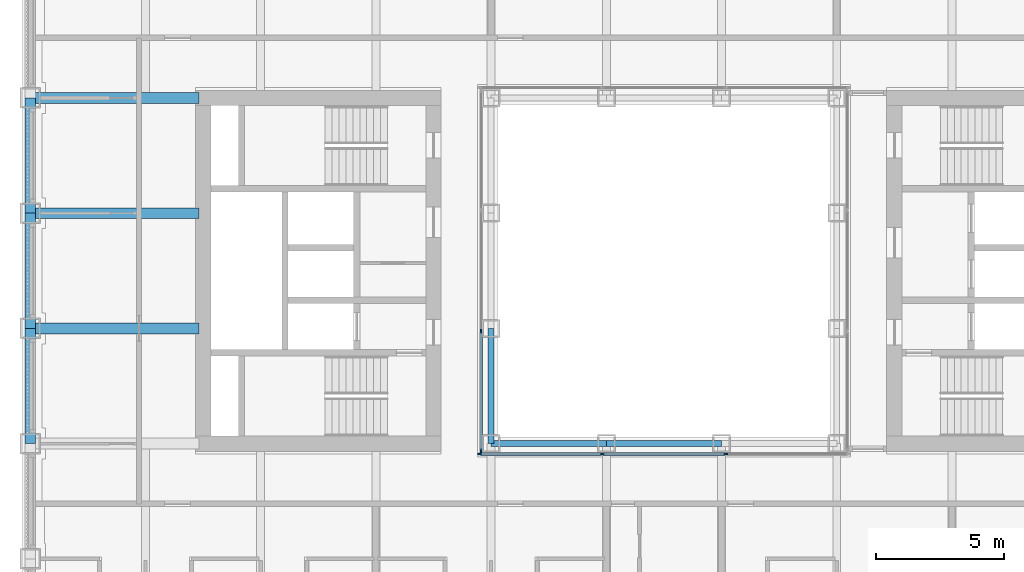
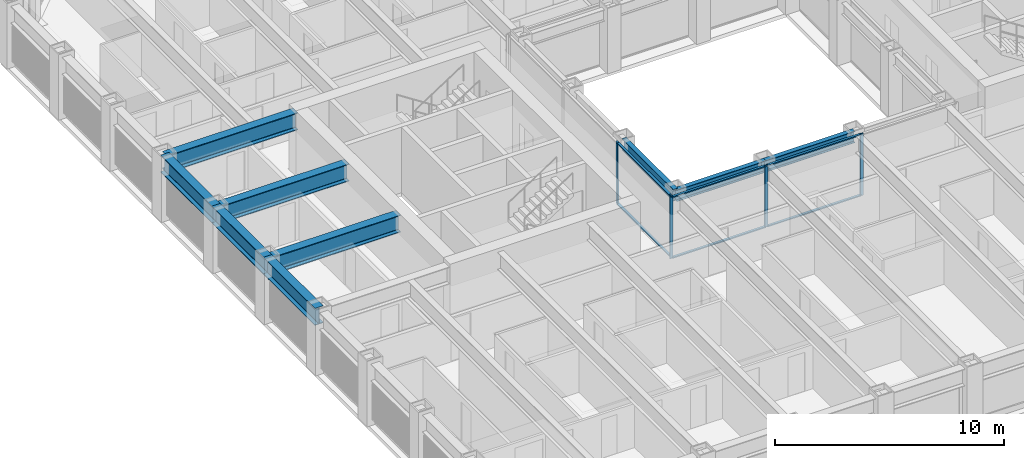
# One storey, part 3 of 21: 11 members, 9 beams, 2 elements without a shape of their own.
"""IFC4 building model written with IfcOpenShell, lengths in metres."""

from ifc_helpers import new_model, si_unit, direction, frame, origin, origin_2d, place, context, subcontext, project, spatial, rectangle, i_section, extrude, material, material_profile, profile_set, type_object, element, aggregate, save


model = new_model("IFC4")

# Units and contexts
model_context = context("Model", 3, precision=1e-05, world=origin(), true_north=direction((0.0, 1.0)))
body_context = subcontext(model_context, "Body", "Model", "MODEL_VIEW")
ifc_project = project(units=[si_unit("LENGTHUNIT", "METRE"), si_unit("AREAUNIT", "SQUARE_METRE"), si_unit("VOLUMEUNIT", "CUBIC_METRE"), si_unit("PLANEANGLEUNIT", "RADIAN"), si_unit("MASSUNIT", "GRAM", prefix="KILO")], contexts=[model_context])

# Site, building, storey
site_placement = place(None, origin())
site = spatial("IfcSite", under=ifc_project, at=site_placement, CompositionType="ELEMENT")
building_placement = place(site_placement, origin())
building = spatial("IfcBuilding", under=site, at=building_placement, Name="Msasa Ring Tower", CompositionType="ELEMENT")
storey_placement = place(building_placement, frame((0.0, 0.0, 68.5)))
storey = spatial("IfcBuildingStorey", under=building, at=storey_placement, Name="L17", CompositionType="ELEMENT", Elevation=68.5)

# Curtain wall, members
ifc_material_1 = material(Name="Aluminium curtain wall with clear glass", Category="aluminium")
curtain_wall_type = type_object("IfcCurtainWallType", Name="CW-W LIGHT WELL CURTAIN WALL", PredefinedType="NOTDEFINED", material=ifc_material_1)
curtain_wall_1_placement = place(storey_placement, origin())
curtain_wall_1 = element("IfcCurtainWall", 1, at=curtain_wall_1_placement, inside=storey, type_object=curtain_wall_type, Name="Light well curtain wall S L17", PredefinedType="NOTDEFINED")
ifc_material_2 = material(Name="Aluminium mullion", Category="aluminium")
ifc_material_profile_1 = material_profile(ifc_material_2, rectangle(XDim=0.06005859375, YDim=0.159912109375, at=origin_2d()), Name="AL 60x160")
ifc_profile_set_1 = profile_set([ifc_material_profile_1], Name="Aluminium mullion")
member_type_1 = type_object("IfcMemberType", Name="CW-W MULLION 60x160", PredefinedType="MULLION", material=ifc_profile_set_1)
member_1_placement = place(storey_placement, frame((-7.199951171875, -7.14990234375, 0.0), z_axis=(0.0, 0.0, 1.0), x_axis=(0.0, 1.0, 0.0)))
member_1 = element("IfcMember", 2, at=member_1_placement, type_object=member_type_1, Name="CW-W mullion 1", PredefinedType="MULLION", context=body_context, shape_type="SweptSolid", body=[
    extrude(rectangle(XDim=0.06005859375, YDim=0.159912109375, at=origin_2d()), origin(), (0.0, 0.0, 1.0), 3.300048828125),
])
member_2_placement = place(storey_placement, frame((-2.409912109375, -7.14990234375, 0.0), z_axis=(0.0, 0.0, 1.0), x_axis=(0.0, 1.0, 0.0)))
member_2 = element("IfcMember", 3, at=member_2_placement, type_object=member_type_1, Name="CW-W mullion 2", PredefinedType="MULLION", context=body_context, shape_type="SweptSolid", body=[
    extrude(rectangle(XDim=0.06005859375, YDim=0.159912109375, at=origin_2d()), origin(), (0.0, 0.0, 1.0), 3.300048828125),
])
member_3_placement = place(storey_placement, frame((2.409912109375, -7.14990234375, 0.0), z_axis=(0.0, 0.0, 1.0), x_axis=(0.0, 1.0, 0.0)))
member_3 = element("IfcMember", 4, at=member_3_placement, type_object=member_type_1, Name="CW-W mullion 3", PredefinedType="MULLION", context=body_context, shape_type="SweptSolid", body=[
    extrude(rectangle(XDim=0.06005859375, YDim=0.159912109375, at=origin_2d()), origin(), (0.0, 0.0, 1.0), 3.300048828125),
])

curtain_wall_2_placement = place(storey_placement, origin())
curtain_wall_2 = element("IfcCurtainWall", 5, at=curtain_wall_2_placement, inside=storey, type_object=curtain_wall_type, Name="Light well curtain wall W L17", PredefinedType="NOTDEFINED")
member_4_placement = place(storey_placement, frame((-7.14990234375, -7.0400390625, 0.0), z_axis=(0.0, 0.0, 1.0), x_axis=(-1.0, 0.0, 0.0)))
member_4 = element("IfcMember", 6, at=member_4_placement, type_object=member_type_1, Name="CW-W mullion 1", PredefinedType="MULLION", context=body_context, shape_type="SweptSolid", body=[
    extrude(rectangle(XDim=0.06005859375, YDim=0.159912109375, at=origin_2d()), origin(), (0.0, 0.0, 1.0), 3.300048828125),
])
member_5_placement = place(storey_placement, frame((-7.14990234375, -2.356689453125, 0.0), z_axis=(0.0, 0.0, 1.0), x_axis=(-1.0, 0.0, 0.0)))
member_5 = element("IfcMember", 7, at=member_5_placement, type_object=member_type_1, Name="CW-W mullion 2", PredefinedType="MULLION", context=body_context, shape_type="SweptSolid", body=[
    extrude(rectangle(XDim=0.06005859375, YDim=0.159912109375, at=origin_2d()), origin(), (0.0, 0.0, 1.0), 3.300048828125),
])

# Member
ifc_material_3 = material(Name="Aluminium transom", Category="aluminium")
ifc_material_profile_2 = material_profile(ifc_material_3, rectangle(XDim=0.1201171875, YDim=0.06005859375, at=origin_2d()), Name="AL 60x120")
ifc_profile_set_2 = profile_set([ifc_material_profile_2], Name="Aluminium transom")
member_type_2 = type_object("IfcMemberType", Name="CW-W TRANSOM 60x120", PredefinedType="USERDEFINED", material=ifc_profile_set_2)
member_6_placement = place(storey_placement, frame((-7.169921875, -7.14990234375, 0.030029296875), z_axis=(1.0, 0.0, 0.0), x_axis=(0.0, 1.0, 0.0)))
member_6 = element("IfcMember", 8, at=member_6_placement, type_object=member_type_2, Name="CW-W transom 1.1", ObjectType="TRANSOM", PredefinedType="USERDEFINED", context=body_context, shape_type="SweptSolid", body=[
    extrude(rectangle(XDim=0.1201171875, YDim=0.06005859375, at=origin_2d()), origin(), (0.0, 0.0, 1.0), 4.72998046875),
])

member_7_placement = place(storey_placement, frame((-7.169921875, -7.14990234375, 3.27001953125), z_axis=(1.0, 0.0, 0.0), x_axis=(0.0, 1.0, 0.0)))
member_7 = element("IfcMember", 9, at=member_7_placement, type_object=member_type_2, Name="CW-W transom 1.2", ObjectType="TRANSOM", PredefinedType="USERDEFINED", context=body_context, shape_type="SweptSolid", body=[
    extrude(rectangle(XDim=0.1201171875, YDim=0.06005859375, at=origin_2d()), origin(), (0.0, 0.0, 1.0), 4.72998046875),
])

member_8_placement = place(storey_placement, frame((-2.3798828125, -7.14990234375, 0.030029296875), z_axis=(1.0, 0.0, 0.0), x_axis=(0.0, 1.0, 0.0)))
member_8 = element("IfcMember", 10, at=member_8_placement, type_object=member_type_2, Name="CW-W transom 2.1", ObjectType="TRANSOM", PredefinedType="USERDEFINED", context=body_context, shape_type="SweptSolid", body=[
    extrude(rectangle(XDim=0.1201171875, YDim=0.06005859375, at=origin_2d()), origin(), (0.0, 0.0, 1.0), 4.759765625),
])

member_9_placement = place(storey_placement, frame((-2.3798828125, -7.14990234375, 3.27001953125), z_axis=(1.0, 0.0, 0.0), x_axis=(0.0, 1.0, 0.0)))
member_9 = element("IfcMember", 11, at=member_9_placement, type_object=member_type_2, Name="CW-W transom 2.2", ObjectType="TRANSOM", PredefinedType="USERDEFINED", context=body_context, shape_type="SweptSolid", body=[
    extrude(rectangle(XDim=0.1201171875, YDim=0.06005859375, at=origin_2d()), origin(), (0.0, 0.0, 1.0), 4.759765625),
])

aggregate(curtain_wall_1, [member_1, member_2, member_3, member_6, member_7, member_8, member_9])

member_10_placement = place(storey_placement, frame((-7.14990234375, -7.010009765625, 0.030029296875), z_axis=(0.0, 1.0, 0.0), x_axis=(-1.0, 0.0, 0.0)))
member_10 = element("IfcMember", 12, at=member_10_placement, type_object=member_type_2, Name="CW-W transom 1.1", ObjectType="TRANSOM", PredefinedType="USERDEFINED", context=body_context, shape_type="SweptSolid", body=[
    extrude(rectangle(XDim=0.1201171875, YDim=0.06005859375, at=origin_2d()), origin(), (0.0, 0.0, 1.0), 4.623291015625),
])

member_11_placement = place(storey_placement, frame((-7.14990234375, -7.010009765625, 3.27001953125), z_axis=(0.0, 1.0, 0.0), x_axis=(-1.0, 0.0, 0.0)))
member_11 = element("IfcMember", 13, at=member_11_placement, type_object=member_type_2, Name="CW-W transom 1.2", ObjectType="TRANSOM", PredefinedType="USERDEFINED", context=body_context, shape_type="SweptSolid", body=[
    extrude(rectangle(XDim=0.1201171875, YDim=0.06005859375, at=origin_2d()), origin(), (0.0, 0.0, 1.0), 4.623291015625),
])

aggregate(curtain_wall_2, [member_4, member_5, member_10, member_11])

# Beams
ifc_material_4 = material(Name="Steel S355", Category="steel")
ifc_material_profile_3 = material_profile(ifc_material_4, i_section(OverallWidth=0.42041015625, OverallDepth=0.9208984375, WebThickness=0.021484375, FlangeThickness=0.03662109375, FilletRadius=0.024169921875, at=origin_2d()), Name="UB 914x419x388")
ifc_profile_set_3 = profile_set([ifc_material_profile_3], Name="Steel S355")
beam_type_1 = type_object("IfcBeamType", Name="FB2 UB 914x419x388", PredefinedType="BEAM", material=ifc_profile_set_3)
for number, where, z_axis, x_axis, name in (
    (14, (-24.75, -2.25, 2.839599609375), (1.0, 0.0, 0.0), (0.0, 1.0, 0.0), "Floor beam W -2.25 under L18"),
    (15, (-24.75, 2.25, 2.839599609375), (1.0, 0.0, 0.0), (0.0, 1.0, 0.0), "Floor beam W +2.25 under L18"),
):
    element("IfcBeam", number, at=place(storey_placement, frame(where, z_axis=z_axis, x_axis=x_axis)), inside=storey, type_object=beam_type_1, Name=name, PredefinedType="BEAM", context=body_context, shape_type="SweptSolid", body=[
        extrude(i_section(OverallWidth=0.42041015625, OverallDepth=0.9208984375, WebThickness=0.021484375, FlangeThickness=0.03662109375, FilletRadius=0.024169921875, at=origin_2d()), origin(), (0.0, 0.0, 1.0), 6.60009765625),
    ])
ifc_material_5 = material(Name="Steel S355", Category="steel")
ifc_material_profile_4 = material_profile(ifc_material_5, i_section(OverallWidth=0.42041015625, OverallDepth=0.9208984375, WebThickness=0.021484375, FlangeThickness=0.03662109375, FilletRadius=0.024169921875, at=origin_2d()), Name="UB 914x419x388")
ifc_profile_set_4 = profile_set([ifc_material_profile_4], Name="Steel S355")
beam_type_2 = type_object("IfcBeamType", Name="GB1 UB 914x419x388", PredefinedType="BEAM", material=ifc_profile_set_4)
beam_placement = place(storey_placement, frame((-18.14990234375, 6.75, 2.839599609375), z_axis=(-1.0, 0.0, 0.0), x_axis=(0.0, -1.0, 0.0)))
element("IfcBeam", 16, at=beam_placement, inside=storey, type_object=beam_type_2, Name="Girder W +6.75 under L18", PredefinedType="BEAM", context=body_context, shape_type="SweptSolid", body=[
    extrude(i_section(OverallWidth=0.42041015625, OverallDepth=0.9208984375, WebThickness=0.021484375, FlangeThickness=0.03662109375, FilletRadius=0.024169921875, at=origin_2d()), origin(), (0.0, 0.0, 1.0), 6.60009765625),
])
ifc_material_6 = material(Name="Steel S355", Category="steel")
ifc_material_profile_5 = material_profile(ifc_material_6, i_section(OverallWidth=0.230224609375, OverallDepth=0.6171875, WebThickness=0.01318359375, FlangeThickness=0.022216796875, FilletRadius=0.0126953125, at=origin_2d()), Name="UB 610x229x140")
ifc_profile_set_5 = profile_set([ifc_material_profile_5], Name="Steel S355")
beam_type_3 = type_object("IfcBeamType", Name="RB1 UB 610x229x140", PredefinedType="BEAM", material=ifc_profile_set_5)
for number, where, z_axis, x_axis, name in (
    (17, (-6.75, -2.25, 2.991455078125), (0.0, -1.0, 0.0), (1.0, 0.0, 0.0), "Inner ring beam IR-6.75-2.25 under L18"),
    (18, (-6.75, -6.75, 2.991455078125), (1.0, 0.0, 0.0), (0.0, 1.0, 0.0), "Inner ring beam IR-6.75-6.75 under L18"),
    (19, (-2.25, -6.75, 2.991455078125), (1.0, 0.0, 0.0), (0.0, 1.0, 0.0), "Inner ring beam IR-2.25-6.75 under L18"),
):
    element("IfcBeam", number, at=place(storey_placement, frame(where, z_axis=z_axis, x_axis=x_axis)), inside=storey, type_object=beam_type_3, Name=name, PredefinedType="BEAM", context=body_context, shape_type="SweptSolid", body=[
        extrude(i_section(OverallWidth=0.230224609375, OverallDepth=0.6171875, WebThickness=0.01318359375, FlangeThickness=0.022216796875, FilletRadius=0.0126953125, at=origin_2d()), origin(), (0.0, 0.0, 1.0), 4.5),
    ])
ifc_material_7 = material(Name="Steel S355", Category="steel")
ifc_material_profile_6 = material_profile(ifc_material_7, i_section(OverallWidth=0.42041015625, OverallDepth=0.9208984375, WebThickness=0.021484375, FlangeThickness=0.03662109375, FilletRadius=0.024169921875, at=origin_2d()), Name="UB 914x419x388")
ifc_profile_set_6 = profile_set([ifc_material_profile_6], Name="Steel S355")
beam_type_4 = type_object("IfcBeamType", Name="SB1 UB 914x419x388", PredefinedType="SPANDREL", material=ifc_profile_set_6)
for number, where, z_axis, x_axis, name in (
    (20, (-24.75, -2.25, 2.839599609375), (0.0, -1.0, 0.0), (1.0, 0.0, 0.0), "Spandrel W-2.25 to W-6.75 under L18"),
    (21, (-24.75, 6.75, 2.839599609375), (0.0, -1.0, 0.0), (1.0, 0.0, 0.0), "Spandrel W+6.75 to W+2.25 under L18"),
    (22, (-24.75, 2.25, 2.839599609375), (0.0, -1.0, 0.0), (1.0, 0.0, 0.0), "Spandrel W+2.25 to W-2.25 under L18"),
):
    element("IfcBeam", number, at=place(storey_placement, frame(where, z_axis=z_axis, x_axis=x_axis)), inside=storey, type_object=beam_type_4, Name=name, PredefinedType="SPANDREL", context=body_context, shape_type="SweptSolid", body=[
        extrude(i_section(OverallWidth=0.42041015625, OverallDepth=0.9208984375, WebThickness=0.021484375, FlangeThickness=0.03662109375, FilletRadius=0.024169921875, at=origin_2d()), origin(), (0.0, 0.0, 1.0), 4.5),
    ])

save(model, "model.ifc")
